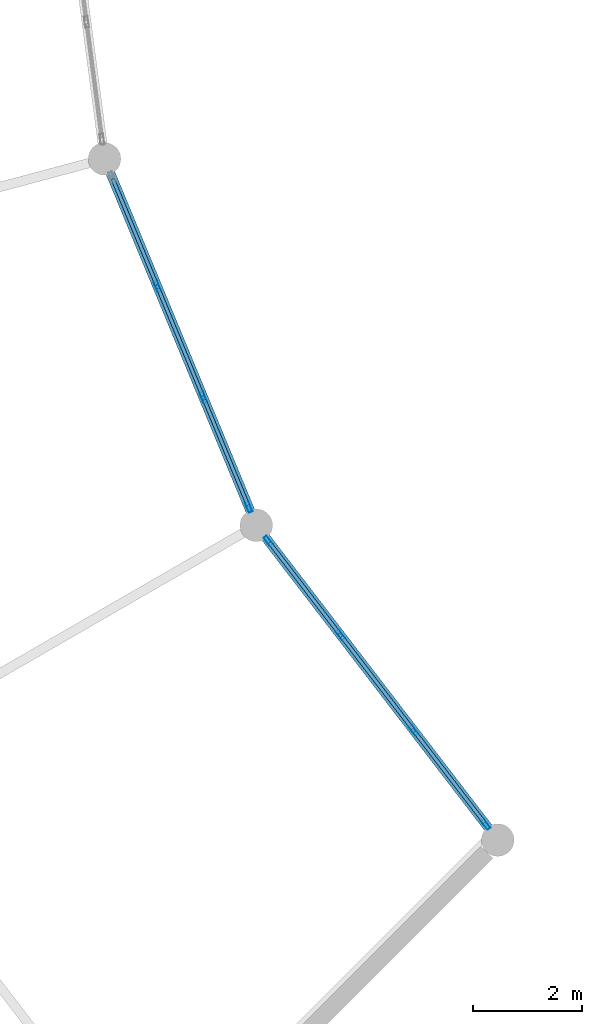
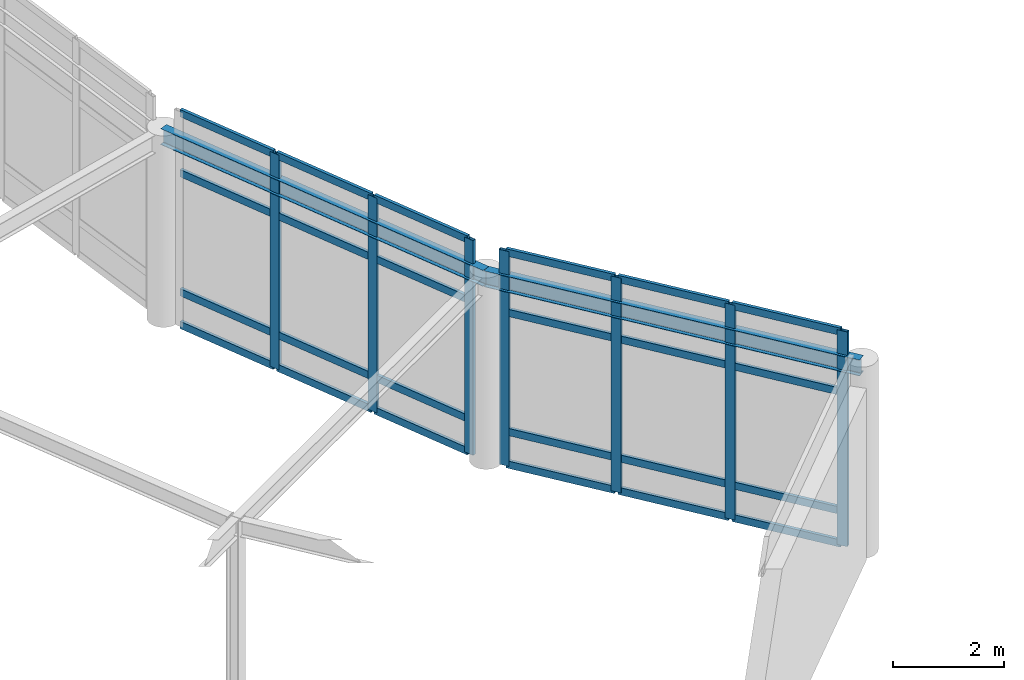
# One storey, part 29 of 93: 31 members, 2 beams, 2 elements without a shape of their own.
"""IFC4 building model written with IfcOpenShell, lengths in metres."""

from ifc_helpers import new_model, si_unit, direction, frame, origin, origin_2d, place, context, subcontext, project, spatial, hollow_rectangle, i_section, extrude, material, material_profile, profile_set, type_object, element, aggregate, save


model = new_model("IFC4")

# Units and contexts
model_context = context("Model", 3, precision=1e-05, world=origin(), true_north=direction((0.0, 1.0)))
body_context = subcontext(model_context, "Body", "Model", "MODEL_VIEW")
ifc_project = project(units=[si_unit("LENGTHUNIT", "METRE"), si_unit("AREAUNIT", "SQUARE_METRE"), si_unit("VOLUMEUNIT", "CUBIC_METRE"), si_unit("PLANEANGLEUNIT", "RADIAN"), si_unit("MASSUNIT", "GRAM", prefix="KILO")], contexts=[model_context])

# Site, building, storey
site_placement = place(None, origin())
site = spatial("IfcSite", under=ifc_project, at=site_placement, CompositionType="ELEMENT")
building_placement = place(site_placement, origin())
building = spatial("IfcBuilding", under=site, at=building_placement, Name="Vondelvale Polytechnic", CompositionType="ELEMENT")
storey_placement = place(building_placement, frame((0.0, 0.0, 18.0)))
storey = spatial("IfcBuildingStorey", under=building, at=storey_placement, Name="L04", CompositionType="ELEMENT", Elevation=18.0)

# Beams
ifc_material_1 = material(Name="Steel 300PLUS (fy = 300 MPa)", Category="steel")
ifc_material_profile_1 = material_profile(ifc_material_1, i_section(OverallWidth=0.1708984375, OverallDepth=0.35205078125, WebThickness=0.0068359375, FlangeThickness=0.009765625, FilletRadius=0.011474609375, at=origin_2d()), Name="360UB44.7")
ifc_profile_set_1 = profile_set([ifc_material_profile_1], Name="Steel 300PLUS (fy = 300 MPa)")
beam_type = type_object("IfcBeamType", Name="BM-UB360L", PredefinedType="BEAM", material=ifc_profile_set_1)
for number, where, z_axis, x_axis, name in (
    (1, (74.9541015625, 64.753173828125, 4.02392578125), (0.382667428841, -0.923886161226, 0.0), (0.923886161226, 0.382667428841, 0.0), "L04 RE B-24"),
    (2, (77.751220703125, 58.0, 4.02392578125), (0.608754744979, -0.793358469083, 0.0), (0.793358469083, 0.608754744979, 0.0), "L04 RE B-24"),
):
    element("IfcBeam", number, at=place(storey_placement, frame(where, z_axis=z_axis, x_axis=x_axis)), inside=storey, type_object=beam_type, Name=name, PredefinedType="BEAM", context=body_context, shape_type="SweptSolid", body=[
        extrude(i_section(OverallWidth=0.1708984375, OverallDepth=0.35205078125, WebThickness=0.0068359375, FlangeThickness=0.009765625, FilletRadius=0.011474609375, at=origin_2d()), origin(), (0.0, 0.0, 1.0), 7.3095703125),
    ])

# Curtain wall, members
ifc_material_2 = material(Name="Anodised extruded aluminium 6063-T6", Category="aluminium")
curtain_wall_type = type_object("IfcCurtainWallType", Name="CW-RING-CLOISTER", PredefinedType="NOTDEFINED", material=ifc_material_2)
curtain_wall_1_placement = place(storey_placement, origin())
curtain_wall_1 = element("IfcCurtainWall", 3, at=curtain_wall_1_placement, inside=storey, type_object=curtain_wall_type, Name="L04 architectural curtain wall CW-03-291", PredefinedType="NOTDEFINED")
ifc_material_profile_2 = material_profile(ifc_material_2, hollow_rectangle(XDim=0.070068359375, YDim=0.199951171875, WallThickness=0.00390625, at=origin_2d()), Name="CW-MUL-200x70")
ifc_profile_set_2 = profile_set([ifc_material_profile_2], Name="Anodised extruded aluminium 6063-T6")
member_type_1 = type_object("IfcMemberType", Name="CW-MUL-70x200", PredefinedType="MULLION", material=ifc_profile_set_2)
member_1_placement = place(storey_placement, frame((75.9287109375, 62.400390625, 0.0), z_axis=(0.0, 0.0, 1.0), x_axis=(0.923881562419, 0.382678531697, 0.0)))
member_1 = element("IfcMember", 4, at=member_1_placement, type_object=member_type_1, Name="CW-03-291 mullion 2", PredefinedType="MULLION", context=body_context, shape_type="SweptSolid", body=[
    extrude(hollow_rectangle(XDim=0.070068359375, YDim=0.199951171875, WallThickness=0.00390625, at=origin_2d()), origin(), (0.0, 0.0, 1.0), 4.713134765625),
])
member_2_placement = place(storey_placement, frame((76.77685546875, 60.352783203125, 0.0), z_axis=(0.0, 0.0, 1.0), x_axis=(0.923881562419, 0.382678531697, 0.0)))
member_2 = element("IfcMember", 5, at=member_2_placement, type_object=member_type_1, Name="CW-03-291 mullion 3", PredefinedType="MULLION", context=body_context, shape_type="SweptSolid", body=[
    extrude(hollow_rectangle(XDim=0.070068359375, YDim=0.199951171875, WallThickness=0.00390625, at=origin_2d()), origin(), (0.0, 0.0, 1.0), 4.713134765625),
])
member_3_placement = place(storey_placement, frame((77.611572265625, 58.337158203125, 0.0), z_axis=(0.0, 0.0, 1.0), x_axis=(0.923881562419, 0.382678531697, 0.0)))
member_3 = element("IfcMember", 6, at=member_3_placement, type_object=member_type_1, Name="CW-03-291 mullion 4", PredefinedType="MULLION", context=body_context, shape_type="SweptSolid", body=[
    extrude(hollow_rectangle(XDim=0.070068359375, YDim=0.199951171875, WallThickness=0.00390625, at=origin_2d()), origin(), (0.0, 0.0, 1.0), 4.713134765625),
])

curtain_wall_2_placement = place(storey_placement, origin())
curtain_wall_2 = element("IfcCurtainWall", 7, at=curtain_wall_2_placement, inside=storey, type_object=curtain_wall_type, Name="L04 architectural curtain wall CW-03-310", PredefinedType="NOTDEFINED")
member_4_placement = place(storey_placement, frame((77.97265625, 57.71142578125, 0.0), z_axis=(0.0, 0.0, 1.0), x_axis=(0.793363861089, 0.608747717793, 0.0)))
member_4 = element("IfcMember", 8, at=member_4_placement, type_object=member_type_1, Name="CW-03-310 mullion 1", PredefinedType="MULLION", context=body_context, shape_type="SweptSolid", body=[
    extrude(hollow_rectangle(XDim=0.070068359375, YDim=0.199951171875, WallThickness=0.00390625, at=origin_2d()), origin(), (0.0, 0.0, 1.0), 4.713134765625),
])
member_5_placement = place(storey_placement, frame((79.30126953125, 55.97998046875, 0.0), z_axis=(0.0, 0.0, 1.0), x_axis=(0.793363861089, 0.608747717793, 0.0)))
member_5 = element("IfcMember", 9, at=member_5_placement, type_object=member_type_1, Name="CW-03-310 mullion 2", PredefinedType="MULLION", context=body_context, shape_type="SweptSolid", body=[
    extrude(hollow_rectangle(XDim=0.070068359375, YDim=0.199951171875, WallThickness=0.00390625, at=origin_2d()), origin(), (0.0, 0.0, 1.0), 4.713134765625),
])
member_6_placement = place(storey_placement, frame((80.651123046875, 54.220947265625, 0.0), z_axis=(0.0, 0.0, 1.0), x_axis=(0.793363861089, 0.608747717793, 0.0)))
member_6 = element("IfcMember", 10, at=member_6_placement, type_object=member_type_1, Name="CW-03-310 mullion 3", PredefinedType="MULLION", context=body_context, shape_type="SweptSolid", body=[
    extrude(hollow_rectangle(XDim=0.070068359375, YDim=0.199951171875, WallThickness=0.00390625, at=origin_2d()), origin(), (0.0, 0.0, 1.0), 4.713134765625),
])
member_7_placement = place(storey_placement, frame((81.9794921875, 52.489501953125, 0.0), z_axis=(0.0, 0.0, 1.0), x_axis=(0.793363861089, 0.608747717793, 0.0)))
member_7 = element("IfcMember", 11, at=member_7_placement, type_object=member_type_1, Name="CW-03-310 mullion 4", PredefinedType="MULLION", context=body_context, shape_type="SweptSolid", body=[
    extrude(hollow_rectangle(XDim=0.070068359375, YDim=0.199951171875, WallThickness=0.00390625, at=origin_2d()), origin(), (0.0, 0.0, 1.0), 4.713134765625),
])

# Member
ifc_material_profile_3 = material_profile(ifc_material_2, hollow_rectangle(XDim=0.06494140625, YDim=0.159912109375, WallThickness=0.00341796875, at=origin_2d()), Name="CW-TRN-160x65")
ifc_profile_set_3 = profile_set([ifc_material_profile_3], Name="Anodised extruded aluminium 6063-T6")
member_type_2 = type_object("IfcMemberType", Name="CW-TRN-70x160", PredefinedType="USERDEFINED", material=ifc_profile_set_3)
member_8_placement = place(storey_placement, frame((75.107177734375, 64.383544921875, 0.032470703125), z_axis=(0.382726229306, -0.923861804277, 0.0), x_axis=(0.923861804277, 0.382726229306, 0.0)))
member_8 = element("IfcMember", 12, at=member_8_placement, type_object=member_type_2, Name="CW-03-291 transom 1.1", ObjectType="TRANSOM", PredefinedType="USERDEFINED", context=body_context, shape_type="SweptSolid", body=[
    extrude(hollow_rectangle(XDim=0.06494140625, YDim=0.159912109375, WallThickness=0.00341796875, at=origin_2d()), origin(), (0.0, 0.0, 1.0), 2.111328125),
])

member_9_placement = place(storey_placement, frame((75.107177734375, 64.383544921875, 0.75), z_axis=(0.382726229306, -0.923861804277, 0.0), x_axis=(0.923861804277, 0.382726229306, 0.0)))
member_9 = element("IfcMember", 13, at=member_9_placement, type_object=member_type_2, Name="CW-03-291 transom 1.2", ObjectType="TRANSOM", PredefinedType="USERDEFINED", context=body_context, shape_type="SweptSolid", body=[
    extrude(hollow_rectangle(XDim=0.06494140625, YDim=0.159912109375, WallThickness=0.00341796875, at=origin_2d()), origin(), (0.0, 0.0, 1.0), 2.111328125),
])

member_10_placement = place(storey_placement, frame((75.107177734375, 64.383544921875, 3.36328125), z_axis=(0.382726229306, -0.923861804277, 0.0), x_axis=(0.923861804277, 0.382726229306, 0.0)))
member_10 = element("IfcMember", 14, at=member_10_placement, type_object=member_type_2, Name="CW-03-291 transom 1.3", ObjectType="TRANSOM", PredefinedType="USERDEFINED", context=body_context, shape_type="SweptSolid", body=[
    extrude(hollow_rectangle(XDim=0.06494140625, YDim=0.159912109375, WallThickness=0.00341796875, at=origin_2d()), origin(), (0.0, 0.0, 1.0), 2.111328125),
])

member_11_placement = place(storey_placement, frame((75.107177734375, 64.383544921875, 4.6806640625), z_axis=(0.382726229306, -0.923861804277, 0.0), x_axis=(0.923861804277, 0.382726229306, 0.0)))
member_11 = element("IfcMember", 15, at=member_11_placement, type_object=member_type_2, Name="CW-03-291 transom 1.4", ObjectType="TRANSOM", PredefinedType="USERDEFINED", context=body_context, shape_type="SweptSolid", body=[
    extrude(hollow_rectangle(XDim=0.06494140625, YDim=0.159912109375, WallThickness=0.00341796875, at=origin_2d()), origin(), (0.0, 0.0, 1.0), 2.111328125),
])

member_12_placement = place(storey_placement, frame((75.94189453125, 62.3681640625, 0.032470703125), z_axis=(0.382716752649, -0.923865730094, 0.0), x_axis=(0.923865730094, 0.382716752649, 0.0)))
member_12 = element("IfcMember", 16, at=member_12_placement, type_object=member_type_2, Name="CW-03-291 transom 2.1", ObjectType="TRANSOM", PredefinedType="USERDEFINED", context=body_context, shape_type="SweptSolid", body=[
    extrude(hollow_rectangle(XDim=0.06494140625, YDim=0.159912109375, WallThickness=0.00341796875, at=origin_2d()), origin(), (0.0, 0.0, 1.0), 2.146484375),
])

member_13_placement = place(storey_placement, frame((75.94189453125, 62.3681640625, 0.75), z_axis=(0.382716752649, -0.923865730094, 0.0), x_axis=(0.923865730094, 0.382716752649, 0.0)))
member_13 = element("IfcMember", 17, at=member_13_placement, type_object=member_type_2, Name="CW-03-291 transom 2.2", ObjectType="TRANSOM", PredefinedType="USERDEFINED", context=body_context, shape_type="SweptSolid", body=[
    extrude(hollow_rectangle(XDim=0.06494140625, YDim=0.159912109375, WallThickness=0.00341796875, at=origin_2d()), origin(), (0.0, 0.0, 1.0), 2.146484375),
])

member_14_placement = place(storey_placement, frame((75.94189453125, 62.3681640625, 3.36328125), z_axis=(0.382716752649, -0.923865730094, 0.0), x_axis=(0.923865730094, 0.382716752649, 0.0)))
member_14 = element("IfcMember", 18, at=member_14_placement, type_object=member_type_2, Name="CW-03-291 transom 2.3", ObjectType="TRANSOM", PredefinedType="USERDEFINED", context=body_context, shape_type="SweptSolid", body=[
    extrude(hollow_rectangle(XDim=0.06494140625, YDim=0.159912109375, WallThickness=0.00341796875, at=origin_2d()), origin(), (0.0, 0.0, 1.0), 2.146484375),
])

member_15_placement = place(storey_placement, frame((75.94189453125, 62.3681640625, 4.6806640625), z_axis=(0.382716752649, -0.923865730094, 0.0), x_axis=(0.923865730094, 0.382716752649, 0.0)))
member_15 = element("IfcMember", 19, at=member_15_placement, type_object=member_type_2, Name="CW-03-291 transom 2.4", ObjectType="TRANSOM", PredefinedType="USERDEFINED", context=body_context, shape_type="SweptSolid", body=[
    extrude(hollow_rectangle(XDim=0.06494140625, YDim=0.159912109375, WallThickness=0.00341796875, at=origin_2d()), origin(), (0.0, 0.0, 1.0), 2.146484375),
])

member_16_placement = place(storey_placement, frame((76.790283203125, 60.3203125, 0.032470703125), z_axis=(0.382627532503, -0.923902685011, 0.0), x_axis=(0.923902685011, 0.382627532503, 0.0)))
member_16 = element("IfcMember", 20, at=member_16_placement, type_object=member_type_2, Name="CW-03-291 transom 3.1", ObjectType="TRANSOM", PredefinedType="USERDEFINED", context=body_context, shape_type="SweptSolid", body=[
    extrude(hollow_rectangle(XDim=0.06494140625, YDim=0.159912109375, WallThickness=0.00341796875, at=origin_2d()), origin(), (0.0, 0.0, 1.0), 2.111328125),
])

member_17_placement = place(storey_placement, frame((76.790283203125, 60.3203125, 0.75), z_axis=(0.382627532503, -0.923902685011, 0.0), x_axis=(0.923902685011, 0.382627532503, 0.0)))
member_17 = element("IfcMember", 21, at=member_17_placement, type_object=member_type_2, Name="CW-03-291 transom 3.2", ObjectType="TRANSOM", PredefinedType="USERDEFINED", context=body_context, shape_type="SweptSolid", body=[
    extrude(hollow_rectangle(XDim=0.06494140625, YDim=0.159912109375, WallThickness=0.00341796875, at=origin_2d()), origin(), (0.0, 0.0, 1.0), 2.111328125),
])

member_18_placement = place(storey_placement, frame((76.790283203125, 60.3203125, 3.36328125), z_axis=(0.382627532503, -0.923902685011, 0.0), x_axis=(0.923902685011, 0.382627532503, 0.0)))
member_18 = element("IfcMember", 22, at=member_18_placement, type_object=member_type_2, Name="CW-03-291 transom 3.3", ObjectType="TRANSOM", PredefinedType="USERDEFINED", context=body_context, shape_type="SweptSolid", body=[
    extrude(hollow_rectangle(XDim=0.06494140625, YDim=0.159912109375, WallThickness=0.00341796875, at=origin_2d()), origin(), (0.0, 0.0, 1.0), 2.111328125),
])

member_19_placement = place(storey_placement, frame((76.790283203125, 60.3203125, 4.6806640625), z_axis=(0.382627532503, -0.923902685011, 0.0), x_axis=(0.923902685011, 0.382627532503, 0.0)))
member_19 = element("IfcMember", 23, at=member_19_placement, type_object=member_type_2, Name="CW-03-291 transom 3.4", ObjectType="TRANSOM", PredefinedType="USERDEFINED", context=body_context, shape_type="SweptSolid", body=[
    extrude(hollow_rectangle(XDim=0.06494140625, YDim=0.159912109375, WallThickness=0.00341796875, at=origin_2d()), origin(), (0.0, 0.0, 1.0), 2.111328125),
])

aggregate(curtain_wall_1, [member_1, member_2, member_3, member_8, member_9, member_10, member_11, member_12, member_13, member_14, member_15, member_16, member_17, member_18, member_19])

member_20_placement = place(storey_placement, frame((77.993896484375, 57.683837890625, 0.032470703125), z_axis=(0.608783266169, -0.793336583571, 0.0), x_axis=(0.793336583571, 0.608783266169, 0.0)))
member_20 = element("IfcMember", 24, at=member_20_placement, type_object=member_type_2, Name="CW-03-310 transom 1.1", ObjectType="TRANSOM", PredefinedType="USERDEFINED", context=body_context, shape_type="SweptSolid", body=[
    extrude(hollow_rectangle(XDim=0.06494140625, YDim=0.159912109375, WallThickness=0.00341796875, at=origin_2d()), origin(), (0.0, 0.0, 1.0), 2.112548828125),
])

member_21_placement = place(storey_placement, frame((77.993896484375, 57.683837890625, 0.75), z_axis=(0.608783266169, -0.793336583571, 0.0), x_axis=(0.793336583571, 0.608783266169, 0.0)))
member_21 = element("IfcMember", 25, at=member_21_placement, type_object=member_type_2, Name="CW-03-310 transom 1.2", ObjectType="TRANSOM", PredefinedType="USERDEFINED", context=body_context, shape_type="SweptSolid", body=[
    extrude(hollow_rectangle(XDim=0.06494140625, YDim=0.159912109375, WallThickness=0.00341796875, at=origin_2d()), origin(), (0.0, 0.0, 1.0), 2.112548828125),
])

member_22_placement = place(storey_placement, frame((77.993896484375, 57.683837890625, 3.36328125), z_axis=(0.608783266169, -0.793336583571, 0.0), x_axis=(0.793336583571, 0.608783266169, 0.0)))
member_22 = element("IfcMember", 26, at=member_22_placement, type_object=member_type_2, Name="CW-03-310 transom 1.3", ObjectType="TRANSOM", PredefinedType="USERDEFINED", context=body_context, shape_type="SweptSolid", body=[
    extrude(hollow_rectangle(XDim=0.06494140625, YDim=0.159912109375, WallThickness=0.00341796875, at=origin_2d()), origin(), (0.0, 0.0, 1.0), 2.112548828125),
])

member_23_placement = place(storey_placement, frame((77.993896484375, 57.683837890625, 4.6806640625), z_axis=(0.608783266169, -0.793336583571, 0.0), x_axis=(0.793336583571, 0.608783266169, 0.0)))
member_23 = element("IfcMember", 27, at=member_23_placement, type_object=member_type_2, Name="CW-03-310 transom 1.4", ObjectType="TRANSOM", PredefinedType="USERDEFINED", context=body_context, shape_type="SweptSolid", body=[
    extrude(hollow_rectangle(XDim=0.06494140625, YDim=0.159912109375, WallThickness=0.00341796875, at=origin_2d()), origin(), (0.0, 0.0, 1.0), 2.112548828125),
])

member_24_placement = place(storey_placement, frame((79.322509765625, 55.952392578125, 0.032470703125), z_axis=(0.608732251269, -0.793375728306, 0.0), x_axis=(0.793375728306, 0.608732251269, 0.0)))
member_24 = element("IfcMember", 28, at=member_24_placement, type_object=member_type_2, Name="CW-03-310 transom 2.1", ObjectType="TRANSOM", PredefinedType="USERDEFINED", context=body_context, shape_type="SweptSolid", body=[
    extrude(hollow_rectangle(XDim=0.06494140625, YDim=0.159912109375, WallThickness=0.00341796875, at=origin_2d()), origin(), (0.0, 0.0, 1.0), 2.147216796875),
])

member_25_placement = place(storey_placement, frame((79.322509765625, 55.952392578125, 0.75), z_axis=(0.608732251269, -0.793375728306, 0.0), x_axis=(0.793375728306, 0.608732251269, 0.0)))
member_25 = element("IfcMember", 29, at=member_25_placement, type_object=member_type_2, Name="CW-03-310 transom 2.2", ObjectType="TRANSOM", PredefinedType="USERDEFINED", context=body_context, shape_type="SweptSolid", body=[
    extrude(hollow_rectangle(XDim=0.06494140625, YDim=0.159912109375, WallThickness=0.00341796875, at=origin_2d()), origin(), (0.0, 0.0, 1.0), 2.147216796875),
])

member_26_placement = place(storey_placement, frame((79.322509765625, 55.952392578125, 3.36328125), z_axis=(0.608732251269, -0.793375728306, 0.0), x_axis=(0.793375728306, 0.608732251269, 0.0)))
member_26 = element("IfcMember", 30, at=member_26_placement, type_object=member_type_2, Name="CW-03-310 transom 2.3", ObjectType="TRANSOM", PredefinedType="USERDEFINED", context=body_context, shape_type="SweptSolid", body=[
    extrude(hollow_rectangle(XDim=0.06494140625, YDim=0.159912109375, WallThickness=0.00341796875, at=origin_2d()), origin(), (0.0, 0.0, 1.0), 2.147216796875),
])

member_27_placement = place(storey_placement, frame((79.322509765625, 55.952392578125, 4.6806640625), z_axis=(0.608732251269, -0.793375728306, 0.0), x_axis=(0.793375728306, 0.608732251269, 0.0)))
member_27 = element("IfcMember", 31, at=member_27_placement, type_object=member_type_2, Name="CW-03-310 transom 2.4", ObjectType="TRANSOM", PredefinedType="USERDEFINED", context=body_context, shape_type="SweptSolid", body=[
    extrude(hollow_rectangle(XDim=0.06494140625, YDim=0.159912109375, WallThickness=0.00341796875, at=origin_2d()), origin(), (0.0, 0.0, 1.0), 2.147216796875),
])

member_28_placement = place(storey_placement, frame((80.67236328125, 54.193115234375, 0.032470703125), z_axis=(0.608766343448, -0.793349569285, 0.0), x_axis=(0.793349569285, 0.608766343448, 0.0)))
member_28 = element("IfcMember", 32, at=member_28_placement, type_object=member_type_2, Name="CW-03-310 transom 3.1", ObjectType="TRANSOM", PredefinedType="USERDEFINED", context=body_context, shape_type="SweptSolid", body=[
    extrude(hollow_rectangle(XDim=0.06494140625, YDim=0.159912109375, WallThickness=0.00341796875, at=origin_2d()), origin(), (0.0, 0.0, 1.0), 2.1123046875),
])

member_29_placement = place(storey_placement, frame((80.67236328125, 54.193115234375, 0.75), z_axis=(0.608766343448, -0.793349569285, 0.0), x_axis=(0.793349569285, 0.608766343448, 0.0)))
member_29 = element("IfcMember", 33, at=member_29_placement, type_object=member_type_2, Name="CW-03-310 transom 3.2", ObjectType="TRANSOM", PredefinedType="USERDEFINED", context=body_context, shape_type="SweptSolid", body=[
    extrude(hollow_rectangle(XDim=0.06494140625, YDim=0.159912109375, WallThickness=0.00341796875, at=origin_2d()), origin(), (0.0, 0.0, 1.0), 2.1123046875),
])

member_30_placement = place(storey_placement, frame((80.67236328125, 54.193115234375, 3.36328125), z_axis=(0.608766343448, -0.793349569285, 0.0), x_axis=(0.793349569285, 0.608766343448, 0.0)))
member_30 = element("IfcMember", 34, at=member_30_placement, type_object=member_type_2, Name="CW-03-310 transom 3.3", ObjectType="TRANSOM", PredefinedType="USERDEFINED", context=body_context, shape_type="SweptSolid", body=[
    extrude(hollow_rectangle(XDim=0.06494140625, YDim=0.159912109375, WallThickness=0.00341796875, at=origin_2d()), origin(), (0.0, 0.0, 1.0), 2.1123046875),
])

member_31_placement = place(storey_placement, frame((80.67236328125, 54.193115234375, 4.6806640625), z_axis=(0.608766343448, -0.793349569285, 0.0), x_axis=(0.793349569285, 0.608766343448, 0.0)))
member_31 = element("IfcMember", 35, at=member_31_placement, type_object=member_type_2, Name="CW-03-310 transom 3.4", ObjectType="TRANSOM", PredefinedType="USERDEFINED", context=body_context, shape_type="SweptSolid", body=[
    extrude(hollow_rectangle(XDim=0.06494140625, YDim=0.159912109375, WallThickness=0.00341796875, at=origin_2d()), origin(), (0.0, 0.0, 1.0), 2.1123046875),
])

aggregate(curtain_wall_2, [member_4, member_5, member_6, member_7, member_20, member_21, member_22, member_23, member_24, member_25, member_26, member_27, member_28, member_29, member_30, member_31])

save(model, "model.ifc")
